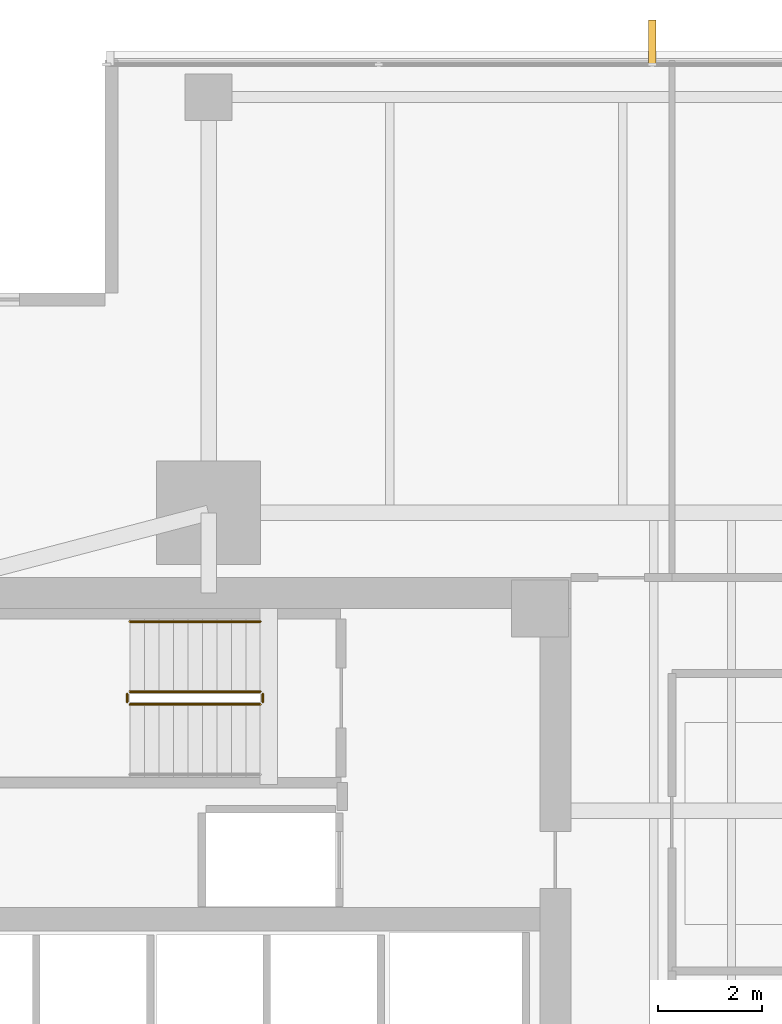
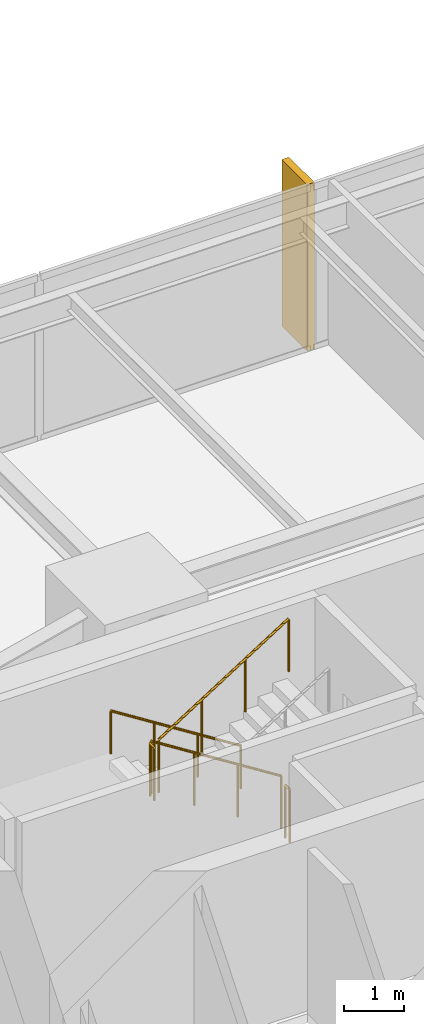
# One storey, part 13 of 14: 5 railings, 1 covering.
"""IFC4 building model written with IfcOpenShell, lengths in metres."""

from ifc_helpers import new_model, si_unit, direction, frame, origin, origin_2d, place, context, subcontext, project, spatial, polyline, circle, outline, extrude, material, layer, layer_set, type_object, element, save


model = new_model("IFC4")

# Units and contexts
model_context = context("Model", 3, precision=1e-05, world=origin(), true_north=direction((0.0, 1.0)))
body_context = subcontext(model_context, "Body", "Model", "MODEL_VIEW")
ifc_project = project(units=[si_unit("LENGTHUNIT", "METRE"), si_unit("AREAUNIT", "SQUARE_METRE"), si_unit("VOLUMEUNIT", "CUBIC_METRE"), si_unit("PLANEANGLEUNIT", "RADIAN"), si_unit("MASSUNIT", "GRAM", prefix="KILO")], contexts=[model_context])

# Site, building, storey
site_placement = place(None, origin())
site = spatial("IfcSite", under=ifc_project, at=site_placement, CompositionType="ELEMENT")
building_placement = place(site_placement, origin())
building = spatial("IfcBuilding", under=site, at=building_placement, Name="Kinhvarn Gate Tower", CompositionType="ELEMENT")
storey_placement = place(building_placement, frame((0.0, 0.0, 137.75)))
storey = spatial("IfcBuildingStorey", under=building, at=storey_placement, Name="L36", CompositionType="ELEMENT", Elevation=137.75)

# Covering
ifc_material_1 = material(Name="Fired architectural terracotta", Category="masonry")
ifc_layer = layer(ifc_material_1, 0.139892578125)
ifc_layer_set = layer_set([ifc_layer], Name="Fired architectural terracotta")
covering_type = type_object("IfcCoveringType", Name="COV-FIN-850", PredefinedType="CLADDING", material=ifc_layer_set)
covering_placement = place(storey_placement, frame((0.0, 0.0, -0.02001953125)))
element("IfcCovering", 1, at=covering_placement, inside=storey, type_object=covering_type, Name="Vertical Terracotta Expressive Fin TFN-850 (L36)", PredefinedType="CLADDING", context=body_context, shape_type="SweptSolid", body=[
    extrude(outline(polyline([(19.641357421875, 46.419921875), (19.50146484375, 46.419921875), (19.50146484375, 47.27001953125), (19.641357421875, 47.27001953125), (19.641357421875, 46.419921875)])), origin(), (0.0, 0.0, 1.0), 3.409912109375),
])

# Railings
ifc_material_2 = material(Name="Steel S355", Category="steel")
railing_type_1 = type_object("IfcRailingType", Name="RL-ST-GRD", PredefinedType="BALUSTRADE", material=ifc_material_2)
railing_1_placement = place(storey_placement, frame((12.0, 34.300048828125, 0.177490234375)))
element("IfcRailing", 2, at=railing_1_placement, inside=storey, type_object=railing_type_1, Name="L36 ST2 stair guard 1", PredefinedType="BALUSTRADE", context=body_context, shape_type="SweptSolid", body=[
    extrude(circle(Radius=0.02392578125, at=origin_2d()), frame((0.0, 0.0, 1.076171875), z_axis=(-0.84460694969, 0.0, 0.535386869969), x_axis=(0.0, -1.0, 0.0)), (0.0, 0.0, 1.0), 2.983642578125),
    extrude(circle(Radius=0.02099609375, at=origin_2d()), origin(), (0.0, 0.0, 1.0), 1.052001953125),
    extrude(circle(Radius=0.02099609375, at=origin_2d()), frame((-0.840087890625, 0.0, 0.532470703125)), (0.0, 0.0, 1.0), 1.052001953125),
    extrude(circle(Radius=0.02099609375, at=origin_2d()), frame((-1.679931640625, 0.0, 1.06494140625)), (0.0, 0.0, 1.0), 1.052001953125),
    extrude(circle(Radius=0.02099609375, at=origin_2d()), frame((-2.52001953125, 0.0, 1.597412109375)), (0.0, 0.0, 1.0), 1.052001953125),
])
railing_2_placement = place(storey_placement, frame((9.429931640625, 34.25, 1.77490234375)))
element("IfcRailing", 3, at=railing_2_placement, inside=storey, type_object=railing_type_1, Name="L36 ST2 stair guard 2", PredefinedType="BALUSTRADE", context=body_context, shape_type="SweptSolid", body=[
    extrude(circle(Radius=0.02392578125, at=origin_2d()), frame((0.0, 0.0, 1.076171875), z_axis=(0.0, -1.0, 0.0), x_axis=(1.0, 0.0, 0.0)), (0.0, 0.0, 1.0), 0.14990234375),
    extrude(circle(Radius=0.02099609375, at=origin_2d()), origin(), (0.0, 0.0, 1.0), 1.052001953125),
    extrude(circle(Radius=0.02099609375, at=origin_2d()), frame((0.0, -0.14990234375, 0.0)), (0.0, 0.0, 1.0), 1.052001953125),
])
railing_3_placement = place(storey_placement, frame((9.47998046875, 34.050048828125, 1.952392578125)))
element("IfcRailing", 4, at=railing_3_placement, inside=storey, type_object=railing_type_1, Name="L36 ST2 stair guard 3", PredefinedType="BALUSTRADE", context=body_context, shape_type="SweptSolid", body=[
    extrude(circle(Radius=0.02392578125, at=origin_2d()), frame((0.0, 0.0, 1.076171875), z_axis=(0.84456994832, 0.0, 0.535445237532), x_axis=(0.0, 1.0, 0.0)), (0.0, 0.0, 1.0), 2.98388671875),
    extrude(circle(Radius=0.02099609375, at=origin_2d()), origin(), (0.0, 0.0, 1.0), 1.052001953125),
    extrude(circle(Radius=0.02099609375, at=origin_2d()), frame((0.840087890625, 0.0, 0.532470703125)), (0.0, 0.0, 1.0), 1.052001953125),
    extrude(circle(Radius=0.02099609375, at=origin_2d()), frame((1.679931640625, 0.0, 1.065185546875)), (0.0, 0.0, 1.0), 1.052001953125),
    extrude(circle(Radius=0.02099609375, at=origin_2d()), frame((2.52001953125, 0.0, 1.59765625)), (0.0, 0.0, 1.0), 1.052001953125),
])
railing_4_placement = place(storey_placement, frame((12.050048828125, 34.25, 0.0)))
element("IfcRailing", 5, at=railing_4_placement, inside=storey, type_object=railing_type_1, Name="L36 ST2 stair guard 4", PredefinedType="BALUSTRADE", context=body_context, shape_type="SweptSolid", body=[
    extrude(circle(Radius=0.02392578125, at=origin_2d()), frame((0.0, 0.0, 1.076171875), z_axis=(0.0, -1.0, 0.0), x_axis=(1.0, 0.0, 0.0)), (0.0, 0.0, 1.0), 0.14990234375),
    extrude(circle(Radius=0.02099609375, at=origin_2d()), origin(), (0.0, 0.0, 1.0), 1.052001953125),
    extrude(circle(Radius=0.02099609375, at=origin_2d()), frame((0.0, -0.14990234375, 0.0)), (0.0, 0.0, 1.0), 1.052001953125),
])
railing_type_2 = type_object("IfcRailingType", Name="RL-ST-HND", PredefinedType="HANDRAIL", material=ifc_material_2)
railing_5_placement = place(storey_placement, frame((12.0, 35.64990234375, 0.177490234375)))
element("IfcRailing", 6, at=railing_5_placement, inside=storey, type_object=railing_type_2, Name="L36 ST2 stair handrail 1", PredefinedType="HANDRAIL", context=body_context, shape_type="SweptSolid", body=[
    extrude(circle(Radius=0.02392578125, at=origin_2d()), frame((0.0, 0.0, 0.8759765625), z_axis=(-0.84460694969, 0.0, 0.535386869969), x_axis=(0.0, -1.0, 0.0)), (0.0, 0.0, 1.0), 2.983642578125),
    extrude(circle(Radius=0.02099609375, at=origin_2d()), origin(), (0.0, 0.0, 1.0), 0.851806640625),
    extrude(circle(Radius=0.02099609375, at=origin_2d()), frame((-0.840087890625, 0.0, 0.532470703125)), (0.0, 0.0, 1.0), 0.851806640625),
    extrude(circle(Radius=0.02099609375, at=origin_2d()), frame((-1.679931640625, 0.0, 1.06494140625)), (0.0, 0.0, 1.0), 0.851806640625),
    extrude(circle(Radius=0.02099609375, at=origin_2d()), frame((-2.52001953125, 0.0, 1.597412109375)), (0.0, 0.0, 1.0), 0.851806640625),
])

save(model, "model.ifc")
